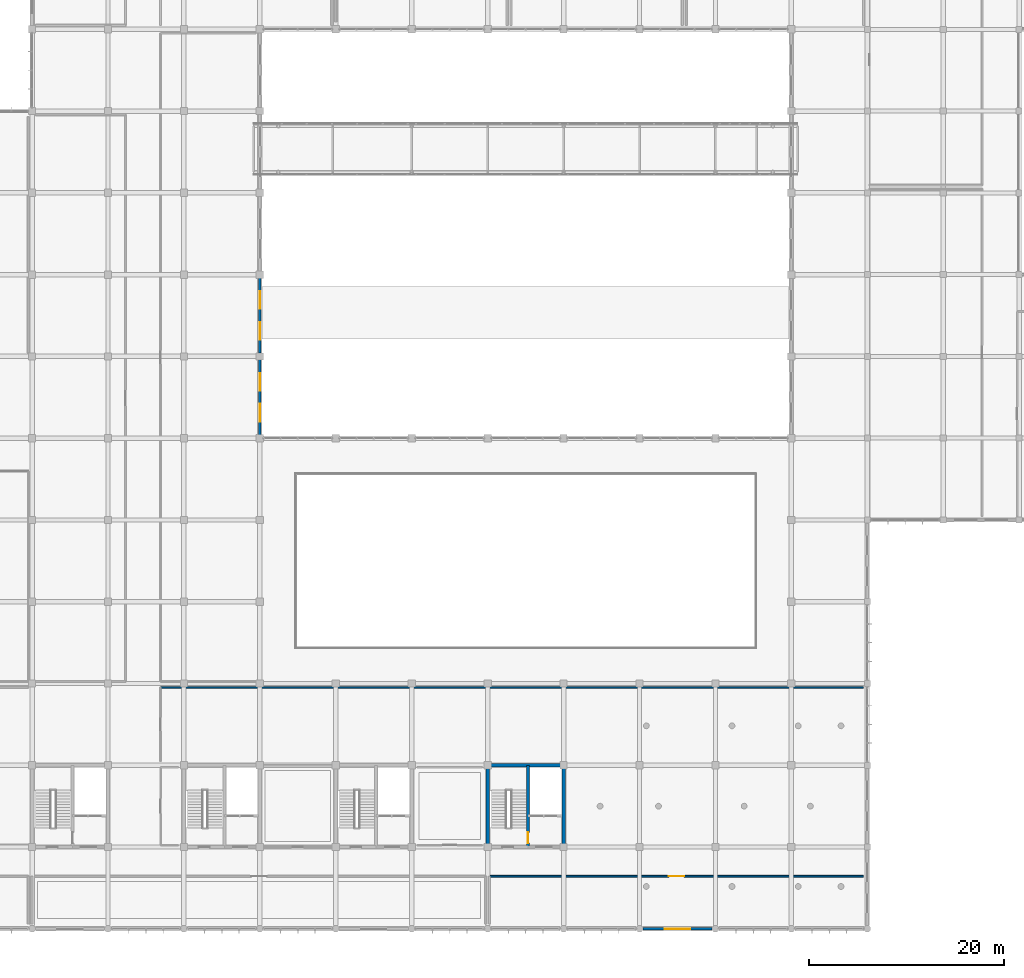
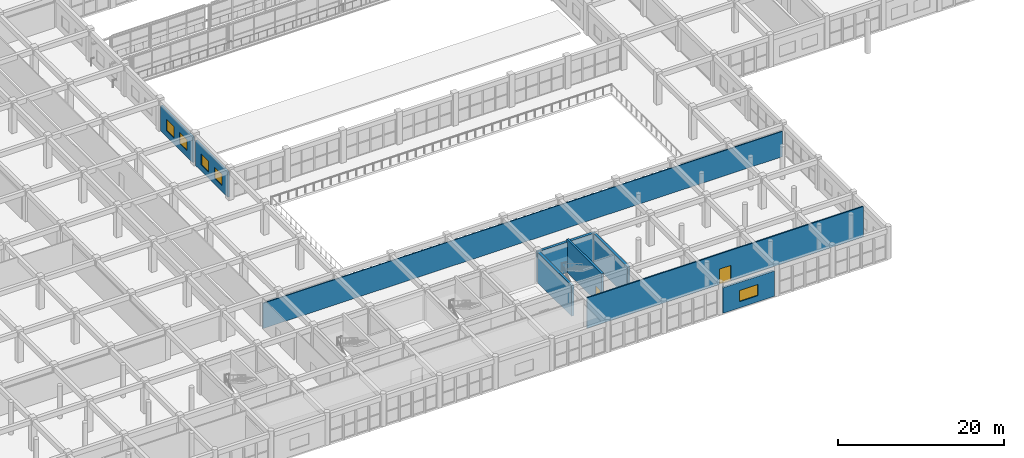
# One storey, part 153 of 167: 9 walls, 5 windows, 2 doors, 7 openings.
"""IFC4 building model written with IfcOpenShell, lengths in metres."""

from ifc_helpers import new_model, si_unit, direction, frame, frame_2d, origin, place, context, subcontext, project, spatial, rectangle, extrude, material, layer, layer_set, type_object, element, fill, save


model = new_model("IFC4")

# Units and contexts
model_context = context("Model", 3, precision=1e-05, world=origin(), true_north=direction((0.0, 1.0)))
body_context = subcontext(model_context, "Body", "Model", "MODEL_VIEW")
ifc_project = project(units=[si_unit("LENGTHUNIT", "METRE"), si_unit("AREAUNIT", "SQUARE_METRE"), si_unit("VOLUMEUNIT", "CUBIC_METRE"), si_unit("PLANEANGLEUNIT", "RADIAN"), si_unit("MASSUNIT", "GRAM", prefix="KILO")], contexts=[model_context])

# Site, building, storey
site_placement = place(None, origin())
site = spatial("IfcSite", under=ifc_project, at=site_placement, CompositionType="ELEMENT")
building_placement = place(site_placement, origin())
building = spatial("IfcBuilding", under=site, at=building_placement, Name="Zizhar Promenade General Hospital", CompositionType="ELEMENT")
storey_placement = place(building_placement, frame((0.0, 0.0, 9.60009765625)))
storey = spatial("IfcBuildingStorey", under=building, at=storey_placement, Name="L02", CompositionType="ELEMENT", Elevation=9.60009765625)

# Wall, openings, windows
ifc_material_1 = material(Name="Precast concrete C40/50", Category="concrete")
ifc_layer_1 = layer(ifc_material_1, 0.260009765625)
ifc_layer_set_1 = layer_set([ifc_layer_1], Name="Precast concrete C40/50")
wall_type_1 = type_object("IfcWallType", Name="EW-PC-260", PredefinedType="STANDARD", material=ifc_layer_set_1)
wall_1_placement = place(storey_placement, frame((70.199951171875, 50.739990234375, 0.0), z_axis=(0.0, 0.0, 1.0), x_axis=(0.0, 1.0, 0.0)))
wall_1 = element("IfcWall", 1, at=wall_1_placement, inside=storey, type_object=wall_type_1, Name="Garden Court West Wall L02-6", PredefinedType="STANDARD", context=body_context, shape_type="SweptSolid", body=[
    extrude(rectangle(XDim=7.719970703125, YDim=0.260009765625, at=frame_2d((3.85986328125, 0.0))), origin(), (0.0, 0.0, 1.0), 3.71484375),
])
opening_1_placement = place(wall_1_placement, frame((1.373291015625, 0.0, 0.89990234375)))
opening_1 = element("IfcOpeningElement", 2, at=opening_1_placement, cuts=wall_1, Name="Opening W-08", PredefinedType="OPENING", context=body_context, shape_type="SweptSolid", body=[
    extrude(rectangle(XDim=1.800048828125, YDim=1.64990234375, at=frame_2d((0.89990234375, 0.824951171875))), frame((0.0, 0.14013671875, 0.0), z_axis=(0.0, -1.0, 0.0), x_axis=(1.0, 0.0, 0.0)), (0.0, 0.0, 1.0), 0.280029296875),
])
opening_2_placement = place(wall_1_placement, frame((4.546630859375, 0.0, 0.89990234375)))
opening_2 = element("IfcOpeningElement", 3, at=opening_2_placement, cuts=wall_1, Name="Opening W-08", PredefinedType="OPENING", context=body_context, shape_type="SweptSolid", body=[
    extrude(rectangle(XDim=1.800048828125, YDim=1.64990234375, at=frame_2d((0.89990234375, 0.824951171875))), frame((0.0, 0.14013671875, 0.0), z_axis=(0.0, -1.0, 0.0), x_axis=(1.0, 0.0, 0.0)), (0.0, 0.0, 1.0), 0.280029296875),
])
ifc_material_2 = material(Name="Anodised aluminium 6063-T6 and low-E glass", Category="aluminium")
window_type_1 = type_object("IfcWindowType", Name="WIN-CLN-180x165", PartitioningType="DOUBLE_PANEL_VERTICAL", PredefinedType="WINDOW", material=ifc_material_2)
window_1_placement = place(opening_1_placement, origin())
window_1 = element("IfcWindow", 4, at=window_1_placement, inside=storey, type_object=window_type_1, Name="Garden Court West Wall L02-6 Window 1", OverallHeight=1.64990234375, OverallWidth=1.800048828125, PartitioningType="SINGLE_PANEL", PredefinedType="WINDOW", context=body_context, shape_type="SweptSolid", body=[
    extrude(rectangle(XDim=1.800048828125, YDim=1.64990234375, at=frame_2d((0.89990234375, 0.824951171875))), frame((0.0, 0.030029296875, 0.0), z_axis=(0.0, -1.0, 0.0), x_axis=(1.0, 0.0, 0.0)), (0.0, 0.0, 1.0), 0.06005859375),
])
fill(opening_1, window_1)
window_2_placement = place(opening_2_placement, origin())
window_2 = element("IfcWindow", 5, at=window_2_placement, inside=storey, type_object=window_type_1, Name="Garden Court West Wall L02-6 Window 2", OverallHeight=1.64990234375, OverallWidth=1.800048828125, PartitioningType="SINGLE_PANEL", PredefinedType="WINDOW", context=body_context, shape_type="SweptSolid", body=[
    extrude(rectangle(XDim=1.800048828125, YDim=1.64990234375, at=frame_2d((0.89990234375, 0.824951171875))), frame((0.0, 0.030029296875, 0.0), z_axis=(0.0, -1.0, 0.0), x_axis=(1.0, 0.0, 0.0)), (0.0, 0.0, 1.0), 0.06005859375),
])
fill(opening_2, window_2)

wall_2_placement = place(storey_placement, frame((70.199951171875, 59.139892578125, 0.0), z_axis=(0.0, 0.0, 1.0), x_axis=(0.0, 1.0, 0.0)))
wall_2 = element("IfcWall", 6, at=wall_2_placement, inside=storey, type_object=wall_type_1, Name="Garden Court West Wall L02-7", PredefinedType="STANDARD", context=body_context, shape_type="SweptSolid", body=[
    extrude(rectangle(XDim=7.72021484375, YDim=0.260009765625, at=frame_2d((3.860107421875, 0.0))), origin(), (0.0, 0.0, 1.0), 3.71484375),
])
opening_3_placement = place(wall_2_placement, frame((1.373291015625, 0.0, 0.89990234375)))
opening_3 = element("IfcOpeningElement", 7, at=opening_3_placement, cuts=wall_2, Name="Opening W-08", PredefinedType="OPENING", context=body_context, shape_type="SweptSolid", body=[
    extrude(rectangle(XDim=1.800048828125, YDim=1.64990234375, at=frame_2d((0.89990234375, 0.824951171875))), frame((0.0, 0.14013671875, 0.0), z_axis=(0.0, -1.0, 0.0), x_axis=(1.0, 0.0, 0.0)), (0.0, 0.0, 1.0), 0.280029296875),
])
opening_4_placement = place(wall_2_placement, frame((4.546630859375, 0.0, 0.89990234375)))
opening_4 = element("IfcOpeningElement", 8, at=opening_4_placement, cuts=wall_2, Name="Opening W-08", PredefinedType="OPENING", context=body_context, shape_type="SweptSolid", body=[
    extrude(rectangle(XDim=1.800048828125, YDim=1.64990234375, at=frame_2d((0.89990234375, 0.824951171875))), frame((0.0, 0.14013671875, 0.0), z_axis=(0.0, -1.0, 0.0), x_axis=(1.0, 0.0, 0.0)), (0.0, 0.0, 1.0), 0.280029296875),
])
window_3_placement = place(opening_3_placement, origin())
window_3 = element("IfcWindow", 9, at=window_3_placement, inside=storey, type_object=window_type_1, Name="Garden Court West Wall L02-7 Window 1", OverallHeight=1.64990234375, OverallWidth=1.800048828125, PartitioningType="SINGLE_PANEL", PredefinedType="WINDOW", context=body_context, shape_type="SweptSolid", body=[
    extrude(rectangle(XDim=1.800048828125, YDim=1.64990234375, at=frame_2d((0.89990234375, 0.824951171875))), frame((0.0, 0.030029296875, 0.0), z_axis=(0.0, -1.0, 0.0), x_axis=(1.0, 0.0, 0.0)), (0.0, 0.0, 1.0), 0.06005859375),
])
fill(opening_3, window_3)
window_4_placement = place(opening_4_placement, origin())
window_4 = element("IfcWindow", 10, at=window_4_placement, inside=storey, type_object=window_type_1, Name="Garden Court West Wall L02-7 Window 2", OverallHeight=1.64990234375, OverallWidth=1.800048828125, PartitioningType="SINGLE_PANEL", PredefinedType="WINDOW", context=body_context, shape_type="SweptSolid", body=[
    extrude(rectangle(XDim=1.800048828125, YDim=1.64990234375, at=frame_2d((0.89990234375, 0.824951171875))), frame((0.0, 0.030029296875, 0.0), z_axis=(0.0, -1.0, 0.0), x_axis=(1.0, 0.0, 0.0)), (0.0, 0.0, 1.0), 0.06005859375),
])
fill(opening_4, window_4)

# Wall, opening, window
ifc_material_3 = material(Name="Precast concrete C40/50", Category="concrete")
ifc_layer_2 = layer(ifc_material_3, 0.2900390625)
ifc_layer_set_2 = layer_set([ifc_layer_2], Name="Precast concrete C40/50")
wall_type_2 = type_object("IfcWallType", Name="EW-PC-290", PredefinedType="STANDARD", material=ifc_layer_set_2)
wall_3_placement = place(storey_placement, frame((116.659912109375, 0.0, 0.0), z_axis=(0.0, 0.0, 1.0), x_axis=(-1.0, 0.0, 0.0)))
wall_3 = element("IfcWall", 11, at=wall_3_placement, inside=storey, type_object=wall_type_2, Name="Riverfront Facade Wall L02-13", PredefinedType="STANDARD", context=body_context, shape_type="SweptSolid", body=[
    extrude(rectangle(XDim=7.119873046875, YDim=0.2900390625, at=frame_2d((3.56005859375, 0.0))), origin(), (0.0, 0.0, 1.0), 3.72998046875),
])
opening_5_placement = place(wall_3_placement, frame((2.260009765625, 0.0, 0.89990234375)))
opening_5 = element("IfcOpeningElement", 12, at=opening_5_placement, cuts=wall_3, Name="Opening W-06", PredefinedType="OPENING", context=body_context, shape_type="SweptSolid", body=[
    extrude(rectangle(XDim=2.60009765625, YDim=1.64990234375, at=frame_2d((1.300048828125, 0.824951171875))), frame((0.0, 0.155029296875, 0.0), z_axis=(0.0, -1.0, 0.0), x_axis=(1.0, 0.0, 0.0)), (0.0, 0.0, 1.0), 0.31005859375),
])
ifc_material_4 = material(Name="Anodised aluminium 6063-T6 and low-E glass", Category="aluminium")
window_type_2 = type_object("IfcWindowType", Name="WIN-CLN-260x165", PartitioningType="TRIPLE_PANEL_VERTICAL", PredefinedType="WINDOW", material=ifc_material_4)
window_5_placement = place(opening_5_placement, origin())
window_5 = element("IfcWindow", 13, at=window_5_placement, inside=storey, type_object=window_type_2, Name="Riverfront Facade Wall L02-13 Window 1", OverallHeight=1.64990234375, OverallWidth=2.60009765625, PartitioningType="SINGLE_PANEL", PredefinedType="WINDOW", context=body_context, shape_type="SweptSolid", body=[
    extrude(rectangle(XDim=2.60009765625, YDim=1.64990234375, at=frame_2d((1.300048828125, 0.824951171875))), frame((0.0, 0.030029296875, 0.0), z_axis=(0.0, -1.0, 0.0), x_axis=(1.0, 0.0, 0.0)), (0.0, 0.0, 1.0), 0.06005859375),
])
fill(opening_5, window_5)

# Wall, opening, door
ifc_material_5 = material(Name="Acoustic double-stud clinical partition")
ifc_layer_3 = layer(ifc_material_5, 0.179931640625)
ifc_layer_set_3 = layer_set([ifc_layer_3], Name="Acoustic double-stud clinical partition")
wall_type_3 = type_object("IfcWallType", Name="IW-ICU-180", PredefinedType="PARTITIONING", material=ifc_layer_set_3)
wall_4_placement = place(storey_placement, frame((93.800048828125, 5.39990234375, 0.0), z_axis=(0.0, 0.0, 1.0), x_axis=(1.0, 0.0, 0.0)))
wall_4 = element("IfcWall", 14, at=wall_4_placement, inside=storey, type_object=wall_type_3, Name="Paediatric and Surgical Intensive Care Unit N Partition", PredefinedType="PARTITIONING", context=body_context, shape_type="SweptSolid", body=[
    extrude(rectangle(XDim=38.39990234375, YDim=0.179931640625, at=frame_2d((19.199951171875, 0.0))), origin(), (0.0, 0.0, 1.0), 4.4599609375),
])
opening_6_placement = place(wall_4_placement, frame((18.39990234375, 0.0, 0.0)))
opening_6 = element("IfcOpeningElement", 15, at=opening_6_placement, cuts=wall_4, Name="Opening D-05", PredefinedType="OPENING", context=body_context, shape_type="SweptSolid", body=[
    extrude(rectangle(XDim=1.60009765625, YDim=2.25, at=frame_2d((0.800048828125, 1.125))), frame((0.0, 0.10009765625, 0.0), z_axis=(0.0, -1.0, 0.0), x_axis=(1.0, 0.0, 0.0)), (0.0, 0.0, 1.0), 0.199951171875),
])
ifc_material_6 = material(Name="Anodised aluminium and clinical glass", Category="aluminium")
door_type_1 = type_object("IfcDoorType", Name="DR-ICU-GLZ-160x225", OperationType="SLIDING_TO_RIGHT", PredefinedType="DOOR", material=ifc_material_6)
door_1_placement = place(opening_6_placement, origin())
door_1 = element("IfcDoor", 16, at=door_1_placement, inside=storey, type_object=door_type_1, Name="Paediatric and Surgical Intensive Care Unit Door", OperationType="SLIDING_TO_RIGHT", OverallHeight=2.25, OverallWidth=1.60009765625, PredefinedType="DOOR", context=body_context, shape_type="SweptSolid", body=[
    extrude(rectangle(XDim=1.60009765625, YDim=2.25, at=frame_2d((0.800048828125, 1.125))), frame((0.0, 0.02490234375, 0.0), z_axis=(0.0, -1.0, 0.0), x_axis=(1.0, 0.0, 0.0)), (0.0, 0.0, 1.0), 0.050048828125),
])
fill(opening_6, door_1)

# Wall
ifc_material_7 = material(Name="Chemical-resistant laboratory partition")
ifc_layer_4 = layer(ifc_material_7, 0.135009765625)
ifc_layer_set_4 = layer_set([ifc_layer_4], Name="Chemical-resistant laboratory partition")
wall_type_4 = type_object("IfcWallType", Name="IW-LAB-135", PredefinedType="PARTITIONING", material=ifc_layer_set_4)
wall_5_placement = place(storey_placement, frame((60.0, 24.800048828125, 0.0), z_axis=(0.0, 0.0, 1.0), x_axis=(1.0, 0.0, 0.0)))
element("IfcWall", 17, at=wall_5_placement, inside=storey, type_object=wall_type_4, Name="Molecular Diagnostics and Cytology Laboratory N Partition", PredefinedType="PARTITIONING", context=body_context, shape_type="SweptSolid", body=[
    extrude(rectangle(XDim=72.199951171875, YDim=0.135009765625, at=frame_2d((36.10009765625, 0.0))), origin(), (0.0, 0.0, 1.0), 3.72998046875),
])

# Wall, opening, door
ifc_material_8 = material(Name="Concrete C40/50", Category="concrete")
ifc_layer_5 = layer(ifc_material_8, 0.300048828125)
ifc_layer_set_5 = layer_set([ifc_layer_5], Name="Concrete C40/50")
wall_type_5 = type_object("IfcWallType", Name="WL-CORE-300", PredefinedType="SHEAR", material=ifc_layer_set_5)
wall_6_placement = place(storey_placement, frame((97.75, 8.39990234375, 0.0), z_axis=(0.0, 0.0, 1.0), x_axis=(0.0, 1.0, 0.0)))
wall_6 = element("IfcWall", 18, at=wall_6_placement, inside=storey, type_object=wall_type_5, Name="Core C5 Stair-Shaft Separation Wall (L02)", PredefinedType="SHEAR", context=body_context, shape_type="SweptSolid", body=[
    extrude(rectangle(XDim=8.400146484375, YDim=0.300048828125, at=frame_2d((4.2001953125, 0.0))), origin(), (0.0, 0.0, 1.0), 4.7998046875),
])
opening_7_placement = place(wall_6_placement, frame((0.39990234375, 0.0, 0.0)))
opening_7 = element("IfcOpeningElement", 19, at=opening_7_placement, cuts=wall_6, Name="Opening D-21", PredefinedType="OPENING", context=body_context, shape_type="SweptSolid", body=[
    extrude(rectangle(XDim=1.1201171875, YDim=2.14990234375, at=frame_2d((0.56005859375, 1.074951171875))), frame((0.0, 0.16015625, 0.0), z_axis=(0.0, -1.0, 0.0), x_axis=(1.0, 0.0, 0.0)), (0.0, 0.0, 1.0), 0.320068359375),
])
ifc_material_9 = material(Name="Steel S355 protected stair door", Category="steel")
door_type_2 = type_object("IfcDoorType", Name="DR-STAIR-112x215", OperationType="NOTDEFINED", PredefinedType="DOOR", material=ifc_material_9)
door_2_placement = place(opening_7_placement, origin())
door_2 = element("IfcDoor", 20, at=door_2_placement, inside=storey, type_object=door_type_2, Name="Firefighting Lobby to Stair ST-05 Door (L02)", OperationType="SINGLE_SWING_LEFT", OverallHeight=2.14990234375, OverallWidth=1.1201171875, PredefinedType="DOOR", context=body_context, shape_type="SweptSolid", body=[
    extrude(rectangle(XDim=1.1201171875, YDim=2.14990234375, at=frame_2d((0.56005859375, 1.074951171875))), frame((0.0, 0.02490234375, 0.0), z_axis=(0.0, -1.0, 0.0), x_axis=(1.0, 0.0, 0.0)), (0.0, 0.0, 1.0), 0.050048828125),
])
fill(opening_7, door_2)

# Walls
ifc_material_10 = material(Name="Concrete C40/50", Category="concrete")
ifc_layer_6 = layer(ifc_material_10, 0.35009765625)
ifc_layer_set_6 = layer_set([ifc_layer_6], Name="Concrete C40/50")
wall_type_6 = type_object("IfcWallType", Name="WL-CORE-350", PredefinedType="SHEAR", material=ifc_layer_set_6)
wall_7_placement = place(storey_placement, frame((93.425048828125, 16.800048828125, 0.0), z_axis=(0.0, 0.0, 1.0), x_axis=(1.0, 0.0, 0.0)))
element("IfcWall", 21, at=wall_7_placement, inside=storey, type_object=wall_type_6, Name="Core C5 North Shear Wall L02", PredefinedType="SHEAR", context=body_context, shape_type="SweptSolid", body=[
    extrude(rectangle(XDim=8.14990234375, YDim=0.35009765625, at=frame_2d((4.074951171875, 0.0))), origin(), (0.0, 0.0, 1.0), 4.47998046875),
])
for number, where, z_axis, x_axis, name in (
    (22, (93.60009765625, 8.39990234375, 0.0), (0.0, 0.0, 1.0), (0.0, 1.0, 0.0), "Core C5 West Shear Wall L02"),
    (23, (101.39990234375, 8.39990234375, 0.0), (0.0, 0.0, 1.0), (0.0, 1.0, 0.0), "Core C5 East Shear Wall L02"),
):
    element("IfcWall", number, at=place(storey_placement, frame(where, z_axis=z_axis, x_axis=x_axis)), inside=storey, type_object=wall_type_6, Name=name, PredefinedType="SHEAR", context=body_context, shape_type="SweptSolid", body=[
        extrude(rectangle(XDim=8.400146484375, YDim=0.35009765625, at=frame_2d((4.2001953125, 0.0))), origin(), (0.0, 0.0, 1.0), 4.47998046875),
    ])

save(model, "model.ifc")
